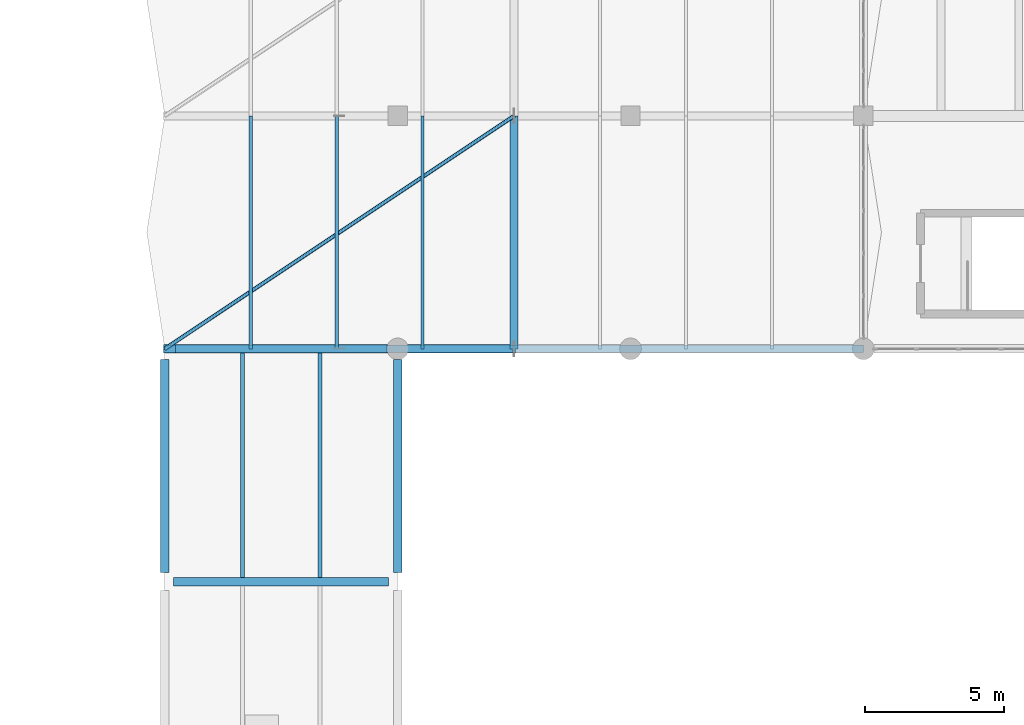
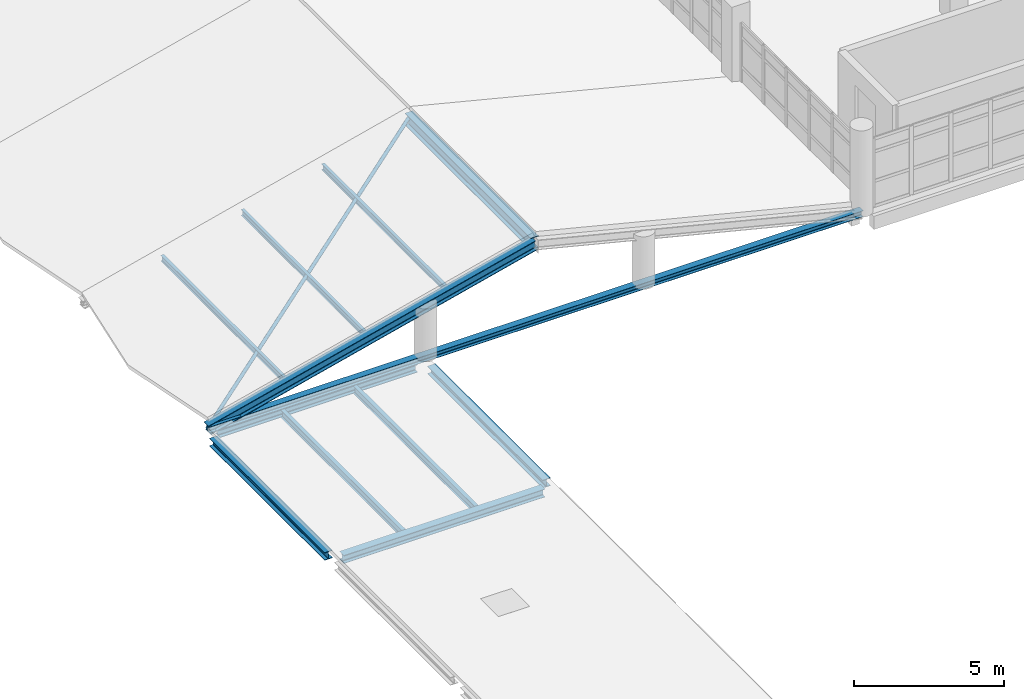
# One storey, part 39 of 95: 7 members, 6 beams.
"""IFC4 building model written with IfcOpenShell, lengths in metres."""

import ifcopenshell
import ifcopenshell.guid

model = None  # the IFC model being written
_history = None  # IfcOwnerHistory: only IFC2X3 demands one
_inside = {}  # id of a spatial element -> (the spatial element, [elements in it])
_under = {}  # id of a project, library or spatial element -> (it, [spatial elements below it])
_declared = {}  # id of a project -> (the project, [libraries it declares])
_typed = {}  # id of a type object -> (the type object, [elements of that type])
_made_of = {}  # id of a material, layer set ... -> (it, [elements and type objects made of it])


def new_model(schema):
    """Start an empty IFC model of exactly this schema.

    Asked for "IFC4X3", IfcOpenShell would pick the latest addendum, in which some entities
    have other attributes; the version numbers below select the first issue.
    IFC2X3 requires an IfcOwnerHistory on every rooted entity: one is made here for all.
    """
    global model, _history
    if schema == "IFC4X3":
        model = ifcopenshell.file(schema_version=(4, 3, 0, 0))
    else:
        model = ifcopenshell.file(schema=schema)
    _inside.clear()
    _under.clear()
    _declared.clear()
    _typed.clear()
    _made_of.clear()
    _history = None
    if model.schema == "IFC2X3":
        org = make("IfcOrganization", Name="unknown")
        user = make(
            "IfcPersonAndOrganization",
            ThePerson=make("IfcPerson", FamilyName="unknown"),
            TheOrganization=org,
        )
        app = make(
            "IfcApplication",
            ApplicationDeveloper=org,
            Version="unknown",
            ApplicationFullName="unknown",
            ApplicationIdentifier="unknown",
        )
        _history = make(
            "IfcOwnerHistory",
            OwningUser=user,
            OwningApplication=app,
            ChangeAction="ADDED",
            CreationDate=0,
        )
    return model


def make(cls, **values):
    """One entity of the class cls with the attributes given. An attribute that is None is left unset."""
    return model.create_entity(
        cls, **{name: value for name, value in values.items() if value is not None}
    )


def rooted(cls, **values):
    """An entity with a GlobalId (a new one), such as an element, a storey or a relation."""
    return make(cls, GlobalId=ifcopenshell.guid.new(), OwnerHistory=_history, **values)


def si_unit(unit_type, name, prefix=None):
    """IfcSIUnit, for example si_unit("LENGTHUNIT", "METRE", prefix="MILLI")."""
    return make("IfcSIUnit", UnitType=unit_type, Prefix=prefix, Name=name)


def assignment(units):
    """IfcUnitAssignment: the units of a project."""
    return None if units is None else make("IfcUnitAssignment", Units=units)


def point(xyz):
    """IfcCartesianPoint."""
    return None if xyz is None else make("IfcCartesianPoint", Coordinates=xyz)


def direction(xyz):
    """IfcDirection."""
    return None if xyz is None else make("IfcDirection", DirectionRatios=xyz)


def frame(location, z_axis=None, x_axis=None):
    """IfcAxis2Placement3D, a coordinate frame: its origin and axes. An axis left out is left unset."""
    return make(
        "IfcAxis2Placement3D",
        Location=point(location),
        Axis=direction(z_axis),
        RefDirection=direction(x_axis),
    )


def frame_2d(location, x_axis=None):
    """IfcAxis2Placement2D, a coordinate frame in the plane: its origin and x axis."""
    return make(
        "IfcAxis2Placement2D", Location=point(location), RefDirection=direction(x_axis)
    )


def origin():
    """The frame at (0, 0, 0) with its axes left unset."""
    return frame((0.0, 0.0, 0.0))


def origin_2d():
    """The frame at (0, 0) in the plane with its x axis left unset."""
    return frame_2d((0.0, 0.0))


def place(relative_to, where):
    """IfcLocalPlacement: puts the frame where relative to a parent placement (None: the world)."""
    return make(
        "IfcLocalPlacement", PlacementRelTo=relative_to, RelativePlacement=where
    )


def context(
    kind, dimensions, precision=None, world=None, true_north=None, identifier=None
):
    """IfcGeometricRepresentationContext, for example the 3D "Model" context."""
    return make(
        "IfcGeometricRepresentationContext",
        ContextIdentifier=identifier,
        ContextType=kind,
        CoordinateSpaceDimension=dimensions,
        Precision=precision,
        WorldCoordinateSystem=world,
        TrueNorth=true_north,
    )


def subcontext(parent, identifier, kind, view, scale=None):
    """IfcGeometricRepresentationSubContext, for example "Body" below "Model"."""
    return make(
        "IfcGeometricRepresentationSubContext",
        ContextIdentifier=identifier,
        ContextType=kind,
        ParentContext=parent,
        TargetScale=scale,
        TargetView=view,
    )


def project(units=None, contexts=None):
    """IfcProject with its units and contexts."""
    return rooted(
        "IfcProject",
        Name="project",
        RepresentationContexts=contexts,
        UnitsInContext=assignment(units),
    )


def spatial(cls, under=None, at=None, **own):
    """A site, building, storey or space (cls), placed at a placement, below another one or the project."""
    s = rooted(cls, ObjectPlacement=at, **own)
    if under is not None:
        _under.setdefault(under.id(), (under, []))[1].append(s)
    return s


def profile(cls, at=None, kind="AREA", **sizes):
    """A parametric profile (cls). Its sizes go by their IFC names, for example OverallWidth=200.0."""
    return make(cls, ProfileType=kind, Position=at, **sizes)


def hollow_circle(**sizes):
    """IfcCircleHollowProfileDef."""
    return profile("IfcCircleHollowProfileDef", **sizes)


def i_section(**sizes):
    """IfcIShapeProfileDef."""
    return profile("IfcIShapeProfileDef", **sizes)


def extrude(swept, where, along, depth):
    """IfcExtrudedAreaSolid: the profile swept, set in the frame where, extruded along a direction by depth."""
    return make(
        "IfcExtrudedAreaSolid",
        SweptArea=swept,
        Position=where,
        ExtrudedDirection=direction(along),
        Depth=depth,
    )


def shape(context_of_items, identifier, shape_type, items):
    """IfcShapeRepresentation: the items that make up one representation, for example the "Body"."""
    return make(
        "IfcShapeRepresentation",
        ContextOfItems=context_of_items,
        RepresentationIdentifier=identifier,
        RepresentationType=shape_type,
        Items=items,
    )


def material(Name=None, Category=None):
    """IfcMaterial."""
    return make("IfcMaterial", Name=Name, Category=Category)


def material_profile(
    of_material, cross_section, Name=None, Category=None, Priority=None
):
    """IfcMaterialProfile: a cross section and its material."""
    return make(
        "IfcMaterialProfile",
        Name=Name,
        Material=of_material,
        Profile=cross_section,
        Priority=Priority,
        Category=Category,
    )


def profile_set(profiles, Name=None, composite=None):
    """IfcMaterialProfileSet."""
    return make(
        "IfcMaterialProfileSet",
        Name=Name,
        MaterialProfiles=profiles,
        CompositeProfile=composite,
    )


def made_of(thing, what):
    """Note that an element or type object is made of a material, layer set ...; save() writes the relation."""
    if what is not None:
        _made_of.setdefault(what.id(), (what, []))[1].append(thing)
    return thing


def type_object(cls, material=None, **own):
    """A type object (cls), such as IfcWallType, which elements share."""
    return made_of(rooted(cls, **own), material)


def element(
    cls,
    number,
    at=None,
    inside=None,
    cuts=None,
    type_object=None,
    material=None,
    context=None,
    identifier="Body",
    shape_type=None,
    held_by="IfcProductDefinitionShape",
    body=None,
    shapes=None,
    **own,
):
    """One element of the class cls, such as IfcWall. Its Tag is "e" and its number.

    at: its placement. inside: the storey or other place that contains it. cuts: it is an
    opening in that element (IfcRelVoidsElement). A single representation is given by context,
    identifier, shape_type and body (its items); several are given by shapes. held_by: the class
    of the entity that holds the representations. save() writes the other relations.
    """
    e = rooted(cls, Tag="e%d" % number, ObjectPlacement=at, **own)
    if body is not None:
        shapes = [shape(context, identifier, shape_type, body)]
    if shapes is not None:
        e.Representation = make(held_by, Representations=shapes)
    if inside is not None:
        _inside.setdefault(inside.id(), (inside, []))[1].append(e)
    if cuts is not None:
        rooted(
            "IfcRelVoidsElement", RelatingBuildingElement=cuts, RelatedOpeningElement=e
        )
    if type_object is not None:
        _typed.setdefault(type_object.id(), (type_object, []))[1].append(e)
    return made_of(e, material)


def aggregate(whole, parts):
    """IfcRelAggregates: a whole, such as a stair, and the parts it consists of."""
    return rooted("IfcRelAggregates", RelatingObject=whole, RelatedObjects=parts)


def save(model, path):
    """Write the relations noted so far, then the file.

    IfcRelAggregates (storeys below a building ...), IfcRelContainedInSpatialStructure (elements
    in a storey), IfcRelDefinesByType, IfcRelAssociatesMaterial and IfcRelDeclares: one each for
    every whole, place, type object, material and project.
    """
    for whole, parts in _under.values():
        aggregate(whole, parts)
    for where, things in _inside.values():
        rooted(
            "IfcRelContainedInSpatialStructure",
            RelatedElements=things,
            RelatingStructure=where,
        )
    for kind, things in _typed.values():
        rooted("IfcRelDefinesByType", RelatedObjects=things, RelatingType=kind)
    for what, things in _made_of.values():
        rooted("IfcRelAssociatesMaterial", RelatedObjects=things, RelatingMaterial=what)
    for by, libraries in _declared.values():
        rooted("IfcRelDeclares", RelatingContext=by, RelatedDefinitions=libraries)
    model.write(path)


model = new_model("IFC4")

# Units and contexts
model_context = context("Model", 3, precision=1e-05, world=origin(), true_north=direction((0.0, 1.0)))
body_context = subcontext(model_context, "Body", "Model", "MODEL_VIEW")
ifc_project = project(units=[si_unit("LENGTHUNIT", "METRE"), si_unit("AREAUNIT", "SQUARE_METRE"), si_unit("VOLUMEUNIT", "CUBIC_METRE"), si_unit("PLANEANGLEUNIT", "RADIAN"), si_unit("MASSUNIT", "GRAM", prefix="KILO"), si_unit("THERMODYNAMICTEMPERATUREUNIT", "KELVIN"), si_unit("POWERUNIT", "WATT")], contexts=[model_context])

# Site, building, storey
site_placement = place(None, origin())
site = spatial("IfcSite", under=ifc_project, at=site_placement, CompositionType="ELEMENT")
building_placement = place(site_placement, origin())
building = spatial("IfcBuilding", under=site, at=building_placement, Name="Mavoryth Pier Ferry Terminal", CompositionType="ELEMENT")
storey_placement = place(building_placement, frame((0.0, 0.0, 9.60009765625)))
storey = spatial("IfcBuildingStorey", under=building, at=storey_placement, Name="L02", CompositionType="ELEMENT", Elevation=9.60009765625)

# Beam
ifc_material = material(Name="Steel S355J2", Category="steel")
ifc_material_profile_1 = material_profile(ifc_material, i_section(OverallWidth=0.300048828125, OverallDepth=0.330078125, WebThickness=0.009521484375, FlangeThickness=0.0166015625, FilletRadius=0.027099609375, at=origin_2d()), Name="HEA 340", Category="steel")
ifc_profile_set_1 = profile_set([ifc_material_profile_1], Name="Steel S355J2 - HEA 340")
beam_type_1 = type_object("IfcBeamType", Name="Beam-Steel-HEA340", PredefinedType="BEAM", material=ifc_profile_set_1)
beam_1_placement = place(storey_placement, frame((50.72509765625, 64.0, -0.3251953125), z_axis=(1.0, 0.0, 0.0), x_axis=(0.0, 1.0, 0.0)))
element("IfcBeam", 1, at=beam_1_placement, inside=storey, type_object=beam_type_1, Name="Beam B02-SB05-0700", PredefinedType="BEAM", context=body_context, shape_type="SweptSolid", body=[
    extrude(i_section(OverallWidth=0.300048828125, OverallDepth=0.330078125, WebThickness=0.009521484375, FlangeThickness=0.0166015625, FilletRadius=0.027099609375, at=origin_2d()), origin(), (0.0, 0.0, 1.0), 7.75),
])

# Members
ifc_material_profile_2 = material_profile(ifc_material, hollow_circle(Radius=0.06982421875, WallThickness=0.008056640625, at=origin_2d()), Name="CHS 139.7x8.0", Category="steel")
ifc_profile_set_2 = profile_set([ifc_material_profile_2], Name="Steel S355J2 - CHS 139.7x8.0")
member_type_1 = type_object("IfcMemberType", Name="Brace-Tie-CHS140", PredefinedType="BRACE", material=ifc_profile_set_2)
member_1_placement = place(storey_placement, frame((50.39990234375, 72.39990234375, -0.045654296875), z_axis=(0.814703597956, 0.543140993894, 0.203115504648), x_axis=(-0.554703916643, 0.832047814047, 0.0)))
element("IfcMember", 2, at=member_1_placement, inside=storey, type_object=member_type_1, Name="Steel Member MB-L02-0212", PredefinedType="BRACE", context=body_context, shape_type="SweptSolid", body=[
    extrude(hollow_circle(Radius=0.06982421875, WallThickness=0.008056640625, at=origin_2d()), origin(), (0.0, 0.0, 1.0), 15.4658203125),
])
ifc_material_profile_3 = material_profile(ifc_material, i_section(OverallWidth=0.300048828125, OverallDepth=0.489990234375, WebThickness=0.011962890625, FlangeThickness=0.02294921875, FilletRadius=0.027099609375, at=origin_2d()), Name="HEA 500", Category="steel")
ifc_profile_set_3 = profile_set([ifc_material_profile_3], Name="Steel S355J2 - HEA 500")
member_type_2 = type_object("IfcMemberType", Name="Chord-Ridge-HEA500", PredefinedType="CHORD", material=ifc_profile_set_3)
member_2_placement = place(storey_placement, frame((63.0, 72.39990234375, 3.095703125), z_axis=(0.0, 1.0, 0.0), x_axis=(-1.0, 0.0, 0.0)))
element("IfcMember", 3, at=member_2_placement, inside=storey, type_object=member_type_2, Name="Steel Member MB-L02-0205", PredefinedType="CHORD", context=body_context, shape_type="SweptSolid", body=[
    extrude(i_section(OverallWidth=0.300048828125, OverallDepth=0.489990234375, WebThickness=0.011962890625, FlangeThickness=0.02294921875, FilletRadius=0.027099609375, at=origin_2d()), origin(), (0.0, 0.0, 1.0), 8.400146484375),
])
ifc_material_profile_4 = material_profile(ifc_material, i_section(OverallWidth=0.260009765625, OverallDepth=0.25, WebThickness=0.007568359375, FlangeThickness=0.012451171875, FilletRadius=0.02392578125, at=origin_2d()), Name="HEA 260", Category="steel")
ifc_profile_set_4 = profile_set([ifc_material_profile_4], Name="Steel S355J2 - HEA 260")
member_type_3 = type_object("IfcMemberType", Name="Chord-Tie-HEA260", PredefinedType="CHORD", material=ifc_profile_set_4)
member_3_placement = place(storey_placement, frame((50.39990234375, 72.39990234375, -0.045654296875), z_axis=(1.0, 0.0, 0.0), x_axis=(0.0, 1.0, 0.0)))
element("IfcMember", 4, at=member_3_placement, inside=storey, type_object=member_type_3, Name="Steel Member MB-L02-0192", PredefinedType="CHORD", context=body_context, shape_type="SweptSolid", body=[
    extrude(i_section(OverallWidth=0.260009765625, OverallDepth=0.25, WebThickness=0.007568359375, FlangeThickness=0.012451171875, FilletRadius=0.02392578125, at=origin_2d()), origin(), (0.0, 0.0, 1.0), 25.2001953125),
])

# Beams
ifc_material_profile_5 = material_profile(ifc_material, i_section(OverallWidth=0.14990234375, OverallDepth=0.300048828125, WebThickness=0.007080078125, FlangeThickness=0.0107421875, FilletRadius=0.014892578125, at=origin_2d()), Name="IPE 300", Category="steel")
ifc_profile_set_5 = profile_set([ifc_material_profile_5], Name="Steel S355J2 - IPE 300")
beam_type_2 = type_object("IfcBeamType", Name="Joist-Steel-IPE300", PredefinedType="JOIST", material=ifc_profile_set_5)
for number, where, z_axis, x_axis, name in (
    (5, (53.199951171875, 64.14990234375, -0.31005859375), (0.0, 1.0, 0.0), (-1.0, 0.0, 0.0), "Beam B02-SJ04-0716"),
    (6, (56.0, 64.14990234375, -0.31005859375), (0.0, 1.0, 0.0), (-1.0, 0.0, 0.0), "Beam B02-SJ04-0717"),
):
    element("IfcBeam", number, at=place(storey_placement, frame(where, z_axis=z_axis, x_axis=x_axis)), inside=storey, type_object=beam_type_2, Name=name, PredefinedType="JOIST", context=body_context, shape_type="SweptSolid", body=[
        extrude(i_section(OverallWidth=0.14990234375, OverallDepth=0.300048828125, WebThickness=0.007080078125, FlangeThickness=0.0107421875, FilletRadius=0.014892578125, at=origin_2d()), origin(), (0.0, 0.0, 1.0), 8.10009765625),
    ])

# Members
ifc_material_profile_6 = material_profile(ifc_material, i_section(OverallWidth=0.1201171875, OverallDepth=0.239990234375, WebThickness=0.006103515625, FlangeThickness=0.009765625, FilletRadius=0.014892578125, at=origin_2d()), Name="IPE 240", Category="steel")
ifc_profile_set_6 = profile_set([ifc_material_profile_6], Name="Steel S355J2 - IPE 240")
member_type_4 = type_object("IfcMemberType", Name="Purlin-Roof-IPE240", PredefinedType="PURLIN", material=ifc_profile_set_6)
for number, where, z_axis, x_axis, name in (
    (7, (53.5, 72.39990234375, 0.730712890625), (0.0, 1.0, 0.0), (-1.0, 0.0, 0.0), "Steel Member MB-L02-0206"),
    (8, (56.60009765625, 72.39990234375, 1.50732421875), (0.0, 1.0, 0.0), (-1.0, 0.0, 0.0), "Steel Member MB-L02-0207"),
    (9, (59.699951171875, 72.39990234375, 2.28369140625), (0.0, 1.0, 0.0), (-1.0, 0.0, 0.0), "Steel Member MB-L02-0208"),
):
    element("IfcMember", number, at=place(storey_placement, frame(where, z_axis=z_axis, x_axis=x_axis)), inside=storey, type_object=member_type_4, Name=name, PredefinedType="PURLIN", context=body_context, shape_type="SweptSolid", body=[
        extrude(i_section(OverallWidth=0.1201171875, OverallDepth=0.239990234375, WebThickness=0.006103515625, FlangeThickness=0.009765625, FilletRadius=0.014892578125, at=origin_2d()), origin(), (0.0, 0.0, 1.0), 8.400146484375),
    ])
ifc_material_profile_7 = material_profile(ifc_material, i_section(OverallWidth=0.300048828125, OverallDepth=0.39990234375, WebThickness=0.013427734375, FlangeThickness=0.02392578125, FilletRadius=0.027099609375, at=origin_2d()), Name="HEB 400", Category="steel")
ifc_profile_set_7 = profile_set([ifc_material_profile_7], Name="Steel S355J2 - HEB 400")
member_type_5 = type_object("IfcMemberType", Name="Rafter-Pitched-HEB400", PredefinedType="RAFTER", material=ifc_profile_set_7)
member_4_placement = place(storey_placement, frame((50.39990234375, 72.39990234375, -0.045654296875), z_axis=(0.970299337146, 0.0, 0.241907412731), x_axis=(0.0, 1.0, 0.0)))
element("IfcMember", 10, at=member_4_placement, inside=storey, type_object=member_type_5, Name="Steel Member MB-L02-0190", PredefinedType="RAFTER", context=body_context, shape_type="SweptSolid", body=[
    extrude(i_section(OverallWidth=0.300048828125, OverallDepth=0.39990234375, WebThickness=0.013427734375, FlangeThickness=0.02392578125, FilletRadius=0.027099609375, at=origin_2d()), origin(), (0.0, 0.0, 1.0), 12.98583984375),
])

# Beams
ifc_material_profile_8 = material_profile(ifc_material, i_section(OverallWidth=0.300048828125, OverallDepth=0.320068359375, WebThickness=0.011474609375, FlangeThickness=0.0205078125, FilletRadius=0.027099609375, at=origin_2d()), Name="HEB 320", Category="steel")
ifc_profile_set_8 = profile_set([ifc_material_profile_8], Name="Steel S355J2 - HEB 320")
beam_type_3 = type_object("IfcBeamType", Name="Spandrel-Steel-HEB320", PredefinedType="SPANDREL", material=ifc_profile_set_8)
beam_2_placement = place(storey_placement, frame((50.7900390625, 72.39990234375, -0.320068359375), z_axis=(1.0, 0.0, 0.0), x_axis=(0.0, 1.0, 0.0)))
element("IfcBeam", 11, at=beam_2_placement, inside=storey, type_object=beam_type_3, Name="Beam B02-SP04-0701", PredefinedType="SPANDREL", context=body_context, shape_type="SweptSolid", body=[
    extrude(i_section(OverallWidth=0.300048828125, OverallDepth=0.320068359375, WebThickness=0.011474609375, FlangeThickness=0.0205078125, FilletRadius=0.027099609375, at=origin_2d()), origin(), (0.0, 0.0, 1.0), 7.619873046875),
])
for number, where, z_axis, x_axis, name in (
    (12, (50.39990234375, 64.324951171875, -0.320068359375), (0.0, 1.0, 0.0), (-1.0, 0.0, 0.0), "Beam B02-SP04-0705"),
    (13, (58.800048828125, 64.324951171875, -0.320068359375), (0.0, 1.0, 0.0), (-1.0, 0.0, 0.0), "Beam B02-SP04-0709"),
):
    element("IfcBeam", number, at=place(storey_placement, frame(where, z_axis=z_axis, x_axis=x_axis)), inside=storey, type_object=beam_type_3, Name=name, PredefinedType="SPANDREL", context=body_context, shape_type="SweptSolid", body=[
        extrude(i_section(OverallWidth=0.300048828125, OverallDepth=0.320068359375, WebThickness=0.011474609375, FlangeThickness=0.0205078125, FilletRadius=0.027099609375, at=origin_2d()), origin(), (0.0, 0.0, 1.0), 7.68505859375),
    ])

save(model, "model.ifc")
